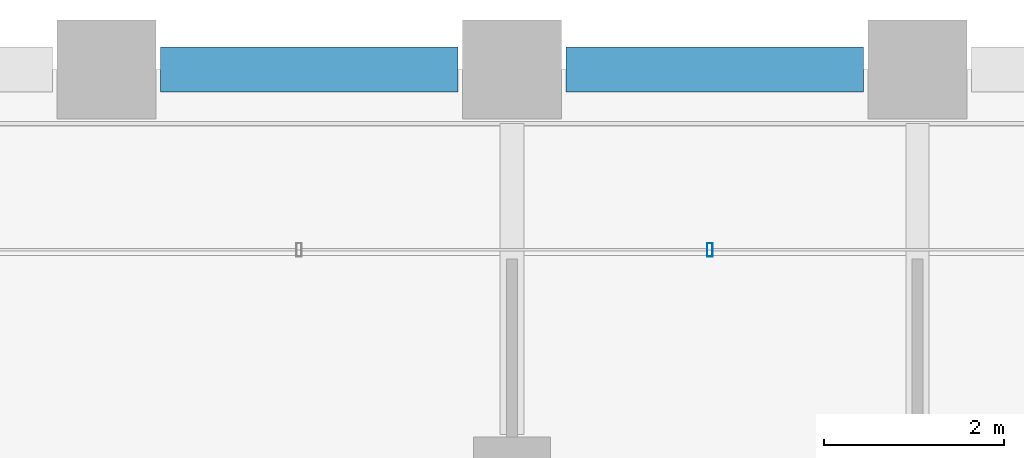
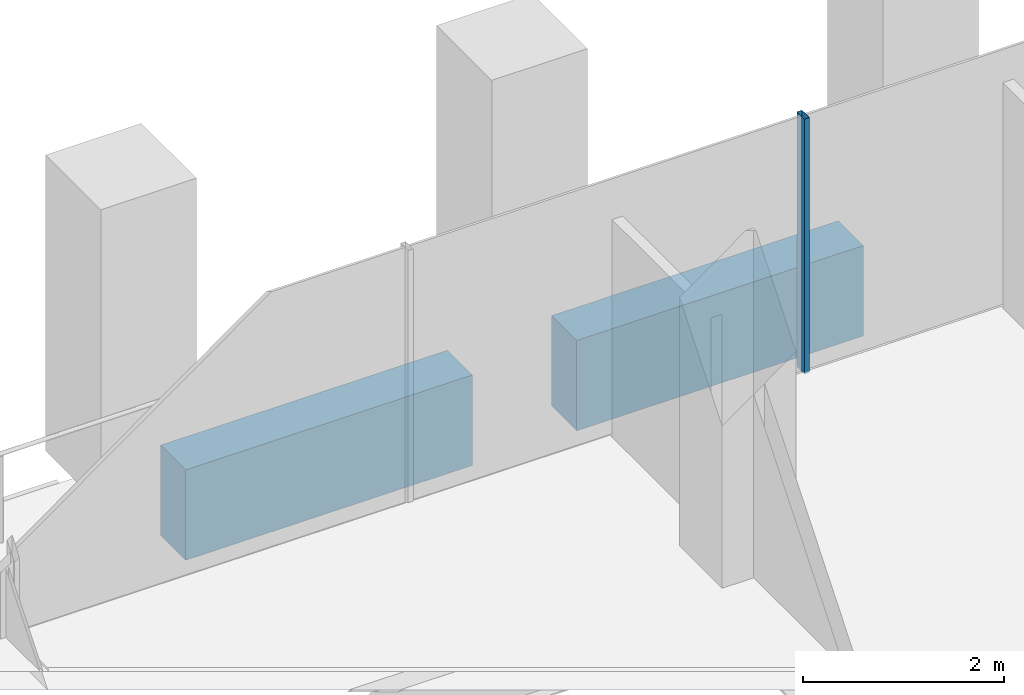
# One storey, part 27 of 55: 2 beams, 1 member, 1 element without a shape of its own.
"""IFC4 building model written with IfcOpenShell, lengths in metres."""

from ifc_helpers import new_model, si_unit, direction, frame, origin, origin_2d, place, context, subcontext, project, spatial, rectangle, hollow_rectangle, extrude, material, material_profile, profile_set, type_object, element, aggregate, save


model = new_model("IFC4")

# Units and contexts
model_context = context("Model", 3, precision=1e-05, world=origin(), true_north=direction((0.0, 1.0)))
body_context = subcontext(model_context, "Body", "Model", "MODEL_VIEW")
ifc_project = project(units=[si_unit("LENGTHUNIT", "METRE"), si_unit("AREAUNIT", "SQUARE_METRE"), si_unit("VOLUMEUNIT", "CUBIC_METRE"), si_unit("PLANEANGLEUNIT", "RADIAN"), si_unit("MASSUNIT", "GRAM", prefix="KILO")], contexts=[model_context])

# Site, building, storey
site_placement = place(None, origin())
site = spatial("IfcSite", under=ifc_project, at=site_placement, CompositionType="ELEMENT")
building_placement = place(site_placement, origin())
building = spatial("IfcBuilding", under=site, at=building_placement, Name="Altepetl Exchange Towers", CompositionType="ELEMENT")
storey_placement = place(building_placement, frame((0.0, 0.0, 47.39990234375)))
storey = spatial("IfcBuildingStorey", under=building, at=storey_placement, Name="L10", CompositionType="ELEMENT", Elevation=47.39990234375)

# Curtain wall, member
ifc_material_1 = material(Name="Aluminium 6063-T6 glazing", Category="aluminium")
curtain_wall_type = type_object("IfcCurtainWallType", Name="Loggia glazing system", PredefinedType="NOTDEFINED", material=ifc_material_1)
curtain_wall_placement = place(storey_placement, origin())
curtain_wall = element("IfcCurtainWall", 1, at=curtain_wall_placement, inside=storey, type_object=curtain_wall_type, Name="CW1 run", PredefinedType="NOTDEFINED")
ifc_material_2 = material(Name="Aluminium 6063-T6", Category="aluminium")
ifc_material_profile_1 = material_profile(ifc_material_2, hollow_rectangle(XDim=0.06005859375, YDim=0.14990234375, WallThickness=0.0029296875, at=origin_2d()), Name="Mullion 60x150 aluminium")
ifc_profile_set_1 = profile_set([ifc_material_profile_1], Name="Aluminium 6063-T6")
member_type = type_object("IfcMemberType", Name="Mullion 60x150 aluminium", PredefinedType="MULLION", material=ifc_profile_set_1)
member_placement = place(storey_placement, frame((42.696533203125, 70.0, 0.0), z_axis=(0.0, 0.0, 1.0), x_axis=(-1.0, 0.0, 0.0)))
member = element("IfcMember", 2, at=member_placement, type_object=member_type, Name="MU1 mullion", PredefinedType="MULLION", context=body_context, shape_type="SweptSolid", body=[
    extrude(hollow_rectangle(XDim=0.06005859375, YDim=0.14990234375, WallThickness=0.0029296875, at=origin_2d()), origin(), (0.0, 0.0, 1.0), 3.10009765625),
])
aggregate(curtain_wall, [member])

# Beams
ifc_material_3 = material(Name="Concrete C50/60 precast with cantera rosa facing", Category="concrete")
ifc_material_profile_2 = material_profile(ifc_material_3, rectangle(XDim=0.5, YDim=1.10009765625, at=origin_2d()), Name="500 x 1100")
ifc_profile_set_2 = profile_set([ifc_material_profile_2], Name="Concrete C50/60 precast with cantera rosa facing")
beam_type_1 = type_object("IfcBeamType", Name="Spandrel beam 500x1100 cantera rosa", PredefinedType="SPANDREL", material=ifc_profile_set_2)
beam_1_placement = place(storey_placement, frame((44.39990234375, 72.0, -0.699951171875), z_axis=(-1.0, 0.0, 0.0), x_axis=(0.0, -1.0, 0.0)))
element("IfcBeam", 3, at=beam_1_placement, inside=storey, type_object=beam_type_1, Name="sp:A:L10:029", PredefinedType="SPANDREL", context=body_context, shape_type="SweptSolid", body=[
    extrude(rectangle(XDim=0.5, YDim=1.10009765625, at=origin_2d()), origin(), (0.0, 0.0, 1.0), 3.2998046875),
])
ifc_material_4 = material(Name="Concrete C50/60 precast with tezontle facing", Category="concrete")
ifc_material_profile_3 = material_profile(ifc_material_4, rectangle(XDim=0.5, YDim=1.10009765625, at=origin_2d()), Name="500 x 1100")
ifc_profile_set_3 = profile_set([ifc_material_profile_3], Name="Concrete C50/60 precast with tezontle facing")
beam_type_2 = type_object("IfcBeamType", Name="Spandrel beam 500x1100 tezontle", PredefinedType="SPANDREL", material=ifc_profile_set_3)
beam_2_placement = place(storey_placement, frame((39.89990234375, 72.0, -0.699951171875), z_axis=(-1.0, 0.0, 0.0), x_axis=(0.0, -1.0, 0.0)))
element("IfcBeam", 4, at=beam_2_placement, inside=storey, type_object=beam_type_2, Name="sp:A:L10:030", PredefinedType="SPANDREL", context=body_context, shape_type="SweptSolid", body=[
    extrude(rectangle(XDim=0.5, YDim=1.10009765625, at=origin_2d()), origin(), (0.0, 0.0, 1.0), 3.2998046875),
])

save(model, "model.ifc")
